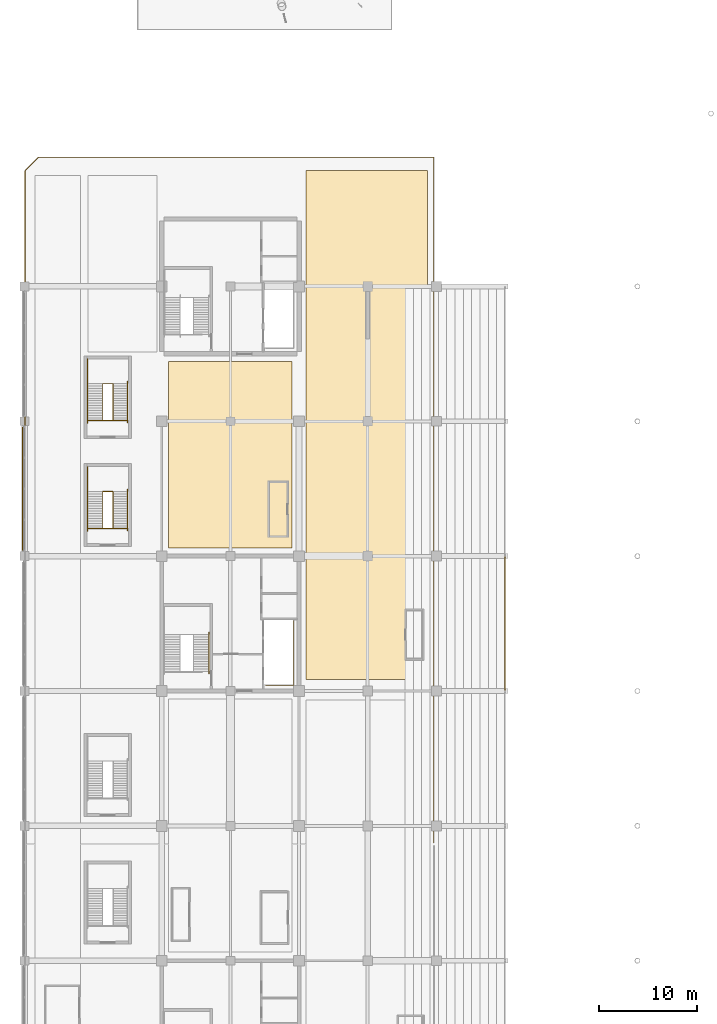
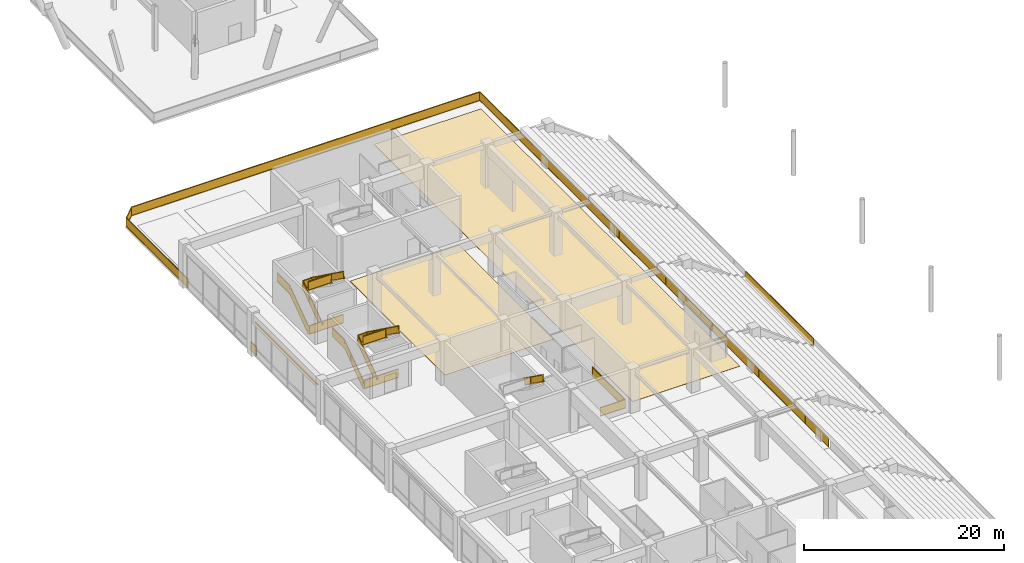
# One storey, part 108 of 117: 13 railings, 2 coverings, 1 shading device.
"""IFC4 building model written with IfcOpenShell, lengths in metres."""

from ifc_helpers import new_model, si_unit, direction, frame, origin, origin_2d, place, context, subcontext, project, spatial, polyline, rectangle, outline, extrude, material, layer, layer_set, type_object, element, save


model = new_model("IFC4")

# Units and contexts
model_context = context("Model", 3, precision=1e-05, world=origin(), true_north=direction((0.0, 1.0)))
body_context = subcontext(model_context, "Body", "Model", "MODEL_VIEW")
ifc_project = project(units=[si_unit("LENGTHUNIT", "METRE"), si_unit("AREAUNIT", "SQUARE_METRE"), si_unit("VOLUMEUNIT", "CUBIC_METRE"), si_unit("PLANEANGLEUNIT", "RADIAN"), si_unit("MASSUNIT", "GRAM", prefix="KILO")], contexts=[model_context])

# Site, building, storey
site_placement = place(None, origin())
site = spatial("IfcSite", under=ifc_project, at=site_placement, CompositionType="ELEMENT")
building_placement = place(site_placement, origin())
building = spatial("IfcBuilding", under=site, at=building_placement, Name="Linyun Crest Stadium", CompositionType="ELEMENT")
storey_placement = place(building_placement, frame((0.0, 0.0, 6.0)))
storey = spatial("IfcBuildingStorey", under=building, at=storey_placement, Name="L02", CompositionType="ELEMENT", Elevation=6.0)

# Coverings
ifc_material_1 = material(Name="Terrazzo concourse and hospitality floor finish")
ifc_layer_1 = layer(ifc_material_1, 0.02197265625)
ifc_layer_set_1 = layer_set([ifc_layer_1], Name="Terrazzo concourse and hospitality floor finish")
covering_type = type_object("IfcCoveringType", Name="FLR02", PredefinedType="FLOORING", material=ifc_layer_set_1)
covering_1_placement = place(storey_placement, origin())
element("IfcCovering", 1, at=covering_1_placement, inside=storey, type_object=covering_type, Name="Terrazzo flooring FLR02 18", PredefinedType="FLOORING", context=body_context, shape_type="SweptSolid", body=[
    extrude(outline(polyline([(-69.300048828125, 3.300048828125), (-56.89990234375, 3.300048828125), (-56.89990234375, 55.199951171875), (-69.300048828125, 55.199951171875), (-69.300048828125, 3.300048828125)])), origin(), (0.0, 0.0, 1.0), 0.02197265625),
])
covering_2_placement = place(storey_placement, origin())
element("IfcCovering", 2, at=covering_2_placement, inside=storey, type_object=covering_type, Name="Terrazzo flooring FLR02 20", PredefinedType="FLOORING", context=body_context, shape_type="SweptSolid", body=[
    extrude(outline(polyline([(-83.300048828125, 16.699951171875), (-70.699951171875, 16.699951171875), (-70.699951171875, 35.699951171875), (-83.300048828125, 35.699951171875), (-83.300048828125, 16.699951171875)])), origin(), (0.0, 0.0, 1.0), 0.02197265625),
])

# Railings
ifc_material_2 = material(Name="Galvanized and powder-coated steel bowl safety barrier", Category="steel")
railing_type_1 = type_object("IfcRailingType", Name="GR02", PredefinedType="GUARDRAIL", material=ifc_material_2)
railing_1_placement = place(storey_placement, frame((-49.0, 2.205078125, 0.199951171875)))
element("IfcRailing", 3, at=railing_1_placement, inside=storey, type_object=railing_type_1, Name="Bowl front safety guard GR02 34", PredefinedType="GUARDRAIL", context=body_context, shape_type="SweptSolid", body=[
    extrude(rectangle(XDim=0.06005859375, YDim=0.06005859375, at=origin_2d()), frame((0.0, 0.0, 1.090087890625), z_axis=(0.0, 1.0, 0.0), x_axis=(-1.0, 0.0, 0.0)), (0.0, 0.0, 1.0), 13.58984375),
    extrude(rectangle(XDim=0.030029296875, YDim=1.0, at=origin_2d()), frame((0.0, 0.0, 0.56005859375), z_axis=(0.0, 1.0, 0.0), x_axis=(-1.0, 0.0, 0.0)), (0.0, 0.0, 1.0), 13.58984375),
    extrude(rectangle(XDim=0.06005859375, YDim=0.06005859375, at=origin_2d()), frame((0.0, 0.0, 0.030029296875), z_axis=(0.0, 1.0, 0.0), x_axis=(-1.0, 0.0, 0.0)), (0.0, 0.0, 1.0), 13.58984375),
    extrude(rectangle(XDim=0.050048828125, YDim=0.050048828125, at=origin_2d()), origin(), (0.0, 0.0, 1.0), 1.1201171875),
    extrude(rectangle(XDim=0.050048828125, YDim=0.050048828125, at=origin_2d()), frame((0.0, 2.264892578125, 0.0)), (0.0, 0.0, 1.0), 1.1201171875),
    extrude(rectangle(XDim=0.050048828125, YDim=0.050048828125, at=origin_2d()), frame((0.0, 4.530029296875, 0.0)), (0.0, 0.0, 1.0), 1.1201171875),
    extrude(rectangle(XDim=0.050048828125, YDim=0.050048828125, at=origin_2d()), frame((0.0, 6.794921875, 0.0)), (0.0, 0.0, 1.0), 1.1201171875),
    extrude(rectangle(XDim=0.050048828125, YDim=0.050048828125, at=origin_2d()), frame((0.0, 9.059814453125, 0.0)), (0.0, 0.0, 1.0), 1.1201171875),
    extrude(rectangle(XDim=0.050048828125, YDim=0.050048828125, at=origin_2d()), frame((0.0, 11.324951171875, 0.0)), (0.0, 0.0, 1.0), 1.1201171875),
    extrude(rectangle(XDim=0.050048828125, YDim=0.050048828125, at=origin_2d()), frame((0.0, 13.58984375, 0.0)), (0.0, 0.0, 1.0), 1.1201171875),
])
railing_2_placement = place(storey_placement, frame((-97.93994140625, 29.074951171875, 0.0)))
element("IfcRailing", 4, at=railing_2_placement, inside=storey, type_object=railing_type_1, Name="Slab edge balustrade GR02 29", PredefinedType="GUARDRAIL", context=body_context, shape_type="SweptSolid", body=[
    extrude(rectangle(XDim=0.06005859375, YDim=0.06005859375, at=origin_2d()), frame((0.0, 0.0, 1.090087890625), z_axis=(0.0, 1.0, 0.0), x_axis=(-1.0, 0.0, 0.0)), (0.0, 0.0, 1.0), 1.10009765625),
    extrude(rectangle(XDim=0.030029296875, YDim=1.0, at=origin_2d()), frame((0.0, 0.0, 0.56005859375), z_axis=(0.0, 1.0, 0.0), x_axis=(-1.0, 0.0, 0.0)), (0.0, 0.0, 1.0), 1.10009765625),
    extrude(rectangle(XDim=0.06005859375, YDim=0.06005859375, at=origin_2d()), frame((0.0, 0.0, 0.030029296875), z_axis=(0.0, 1.0, 0.0), x_axis=(-1.0, 0.0, 0.0)), (0.0, 0.0, 1.0), 1.10009765625),
    extrude(rectangle(XDim=0.050048828125, YDim=0.050048828125, at=origin_2d()), origin(), (0.0, 0.0, 1.0), 1.1201171875),
    extrude(rectangle(XDim=0.050048828125, YDim=0.050048828125, at=origin_2d()), frame((0.0, 1.10009765625, 0.0)), (0.0, 0.0, 1.0), 1.1201171875),
])
railing_3_placement = place(storey_placement, frame((-97.93994140625, 42.824951171875, 0.0)))
element("IfcRailing", 5, at=railing_3_placement, inside=storey, type_object=railing_type_1, Name="Slab edge balustrade GR02 30", PredefinedType="GUARDRAIL", context=body_context, shape_type="SweptSolid", body=[
    extrude(rectangle(XDim=0.06005859375, YDim=0.06005859375, at=origin_2d()), frame((0.0, 0.0, 1.090087890625), z_axis=(0.0, 1.0, 0.0), x_axis=(-1.0, 0.0, 0.0)), (0.0, 0.0, 1.0), 12.3349609375),
    extrude(rectangle(XDim=0.030029296875, YDim=1.0, at=origin_2d()), frame((0.0, 0.0, 0.56005859375), z_axis=(0.0, 1.0, 0.0), x_axis=(-1.0, 0.0, 0.0)), (0.0, 0.0, 1.0), 12.3349609375),
    extrude(rectangle(XDim=0.06005859375, YDim=0.06005859375, at=origin_2d()), frame((0.0, 0.0, 0.030029296875), z_axis=(0.0, 1.0, 0.0), x_axis=(-1.0, 0.0, 0.0)), (0.0, 0.0, 1.0), 12.3349609375),
    extrude(rectangle(XDim=0.06005859375, YDim=0.06005859375, at=origin_2d()), frame((0.0, 12.3349609375, 1.090087890625), z_axis=(0.707106781187, 0.707106781187, 0.0), x_axis=(-0.707106781187, 0.707106781187, 0.0)), (0.0, 0.0, 1.0), 1.930419921875),
    extrude(rectangle(XDim=0.030029296875, YDim=1.0, at=origin_2d()), frame((0.0, 12.3349609375, 0.56005859375), z_axis=(0.707106781187, 0.707106781187, 0.0), x_axis=(-0.707106781187, 0.707106781187, 0.0)), (0.0, 0.0, 1.0), 1.930419921875),
    extrude(rectangle(XDim=0.06005859375, YDim=0.06005859375, at=origin_2d()), frame((0.0, 12.3349609375, 0.030029296875), z_axis=(0.707106781187, 0.707106781187, 0.0), x_axis=(-0.707106781187, 0.707106781187, 0.0)), (0.0, 0.0, 1.0), 1.930419921875),
    extrude(rectangle(XDim=0.06005859375, YDim=0.06005859375, at=origin_2d()), frame((1.364990234375, 13.699951171875, 1.090087890625), z_axis=(1.0, 0.0, 0.0), x_axis=(0.0, 1.0, 0.0)), (0.0, 0.0, 1.0), 40.31494140625),
    extrude(rectangle(XDim=0.030029296875, YDim=1.0, at=origin_2d()), frame((1.364990234375, 13.699951171875, 0.56005859375), z_axis=(1.0, 0.0, 0.0), x_axis=(0.0, 1.0, 0.0)), (0.0, 0.0, 1.0), 40.31494140625),
    extrude(rectangle(XDim=0.06005859375, YDim=0.06005859375, at=origin_2d()), frame((1.364990234375, 13.699951171875, 0.030029296875), z_axis=(1.0, 0.0, 0.0), x_axis=(0.0, 1.0, 0.0)), (0.0, 0.0, 1.0), 40.31494140625),
    extrude(rectangle(XDim=0.06005859375, YDim=0.06005859375, at=origin_2d()), frame((41.679931640625, 13.699951171875, 1.090087890625), z_axis=(0.0, -1.0, 0.0), x_axis=(1.0, 0.0, 0.0)), (0.0, 0.0, 1.0), 69.85498046875),
    extrude(rectangle(XDim=0.030029296875, YDim=1.0, at=origin_2d()), frame((41.679931640625, 13.699951171875, 0.56005859375), z_axis=(0.0, -1.0, 0.0), x_axis=(1.0, 0.0, 0.0)), (0.0, 0.0, 1.0), 69.85498046875),
    extrude(rectangle(XDim=0.06005859375, YDim=0.06005859375, at=origin_2d()), frame((41.679931640625, 13.699951171875, 0.030029296875), z_axis=(0.0, -1.0, 0.0), x_axis=(1.0, 0.0, 0.0)), (0.0, 0.0, 1.0), 69.85498046875),
    extrude(rectangle(XDim=0.050048828125, YDim=0.050048828125, at=origin_2d()), origin(), (0.0, 0.0, 1.0), 1.1201171875),
    extrude(rectangle(XDim=0.050048828125, YDim=0.050048828125, at=origin_2d()), frame((0.0, 4.111572265625, 0.0)), (0.0, 0.0, 1.0), 1.1201171875),
    extrude(rectangle(XDim=0.050048828125, YDim=0.050048828125, at=origin_2d()), frame((0.0, 8.223388671875, 0.0)), (0.0, 0.0, 1.0), 1.1201171875),
    extrude(rectangle(XDim=0.050048828125, YDim=0.050048828125, at=origin_2d()), frame((0.0, 12.3349609375, 0.0)), (0.0, 0.0, 1.0), 1.1201171875),
    extrude(rectangle(XDim=0.050048828125, YDim=0.050048828125, at=origin_2d()), frame((1.364990234375, 13.699951171875, 0.0)), (0.0, 0.0, 1.0), 1.1201171875),
    extrude(rectangle(XDim=0.050048828125, YDim=0.050048828125, at=origin_2d()), frame((5.844482421875, 13.699951171875, 0.0)), (0.0, 0.0, 1.0), 1.1201171875),
    extrude(rectangle(XDim=0.050048828125, YDim=0.050048828125, at=origin_2d()), frame((10.323974609375, 13.699951171875, 0.0)), (0.0, 0.0, 1.0), 1.1201171875),
    extrude(rectangle(XDim=0.050048828125, YDim=0.050048828125, at=origin_2d()), frame((14.80322265625, 13.699951171875, 0.0)), (0.0, 0.0, 1.0), 1.1201171875),
    extrude(rectangle(XDim=0.050048828125, YDim=0.050048828125, at=origin_2d()), frame((19.28271484375, 13.699951171875, 0.0)), (0.0, 0.0, 1.0), 1.1201171875),
    extrude(rectangle(XDim=0.050048828125, YDim=0.050048828125, at=origin_2d()), frame((23.76220703125, 13.699951171875, 0.0)), (0.0, 0.0, 1.0), 1.1201171875),
    extrude(rectangle(XDim=0.050048828125, YDim=0.050048828125, at=origin_2d()), frame((28.24169921875, 13.699951171875, 0.0)), (0.0, 0.0, 1.0), 1.1201171875),
    extrude(rectangle(XDim=0.050048828125, YDim=0.050048828125, at=origin_2d()), frame((32.720947265625, 13.699951171875, 0.0)), (0.0, 0.0, 1.0), 1.1201171875),
    extrude(rectangle(XDim=0.050048828125, YDim=0.050048828125, at=origin_2d()), frame((37.200439453125, 13.699951171875, 0.0)), (0.0, 0.0, 1.0), 1.1201171875),
    extrude(rectangle(XDim=0.050048828125, YDim=0.050048828125, at=origin_2d()), frame((41.679931640625, 13.699951171875, 0.0)), (0.0, 0.0, 1.0), 1.1201171875),
    extrude(rectangle(XDim=0.050048828125, YDim=0.050048828125, at=origin_2d()), frame((41.679931640625, 9.04296875, 0.0)), (0.0, 0.0, 1.0), 1.1201171875),
    extrude(rectangle(XDim=0.050048828125, YDim=0.050048828125, at=origin_2d()), frame((41.679931640625, 4.385986328125, 0.0)), (0.0, 0.0, 1.0), 1.1201171875),
    extrude(rectangle(XDim=0.050048828125, YDim=0.050048828125, at=origin_2d()), frame((41.679931640625, -0.27099609375, 0.0)), (0.0, 0.0, 1.0), 1.1201171875),
    extrude(rectangle(XDim=0.050048828125, YDim=0.050048828125, at=origin_2d()), frame((41.679931640625, -4.927978515625, 0.0)), (0.0, 0.0, 1.0), 1.1201171875),
    extrude(rectangle(XDim=0.050048828125, YDim=0.050048828125, at=origin_2d()), frame((41.679931640625, -9.5849609375, 0.0)), (0.0, 0.0, 1.0), 1.1201171875),
    extrude(rectangle(XDim=0.050048828125, YDim=0.050048828125, at=origin_2d()), frame((41.679931640625, -14.241943359375, 0.0)), (0.0, 0.0, 1.0), 1.1201171875),
    extrude(rectangle(XDim=0.050048828125, YDim=0.050048828125, at=origin_2d()), frame((41.679931640625, -18.89892578125, 0.0)), (0.0, 0.0, 1.0), 1.1201171875),
    extrude(rectangle(XDim=0.050048828125, YDim=0.050048828125, at=origin_2d()), frame((41.679931640625, -23.55615234375, 0.0)), (0.0, 0.0, 1.0), 1.1201171875),
    extrude(rectangle(XDim=0.050048828125, YDim=0.050048828125, at=origin_2d()), frame((41.679931640625, -28.213134765625, 0.0)), (0.0, 0.0, 1.0), 1.1201171875),
    extrude(rectangle(XDim=0.050048828125, YDim=0.050048828125, at=origin_2d()), frame((41.679931640625, -32.8701171875, 0.0)), (0.0, 0.0, 1.0), 1.1201171875),
    extrude(rectangle(XDim=0.050048828125, YDim=0.050048828125, at=origin_2d()), frame((41.679931640625, -37.527099609375, 0.0)), (0.0, 0.0, 1.0), 1.1201171875),
    extrude(rectangle(XDim=0.050048828125, YDim=0.050048828125, at=origin_2d()), frame((41.679931640625, -42.18408203125, 0.0)), (0.0, 0.0, 1.0), 1.1201171875),
    extrude(rectangle(XDim=0.050048828125, YDim=0.050048828125, at=origin_2d()), frame((41.679931640625, -46.841064453125, 0.0)), (0.0, 0.0, 1.0), 1.1201171875),
    extrude(rectangle(XDim=0.050048828125, YDim=0.050048828125, at=origin_2d()), frame((41.679931640625, -51.498046875, 0.0)), (0.0, 0.0, 1.0), 1.1201171875),
    extrude(rectangle(XDim=0.050048828125, YDim=0.050048828125, at=origin_2d()), frame((41.679931640625, -56.155029296875, 0.0)), (0.0, 0.0, 1.0), 1.1201171875),
])
railing_4_placement = place(storey_placement, frame((-73.419921875, 2.715087890625, 0.0)))
element("IfcRailing", 6, at=railing_4_placement, inside=storey, type_object=railing_type_1, Name="Slab edge balustrade GR02 31", PredefinedType="GUARDRAIL", context=body_context, shape_type="SweptSolid", body=[
    extrude(rectangle(XDim=0.06005859375, YDim=0.06005859375, at=origin_2d()), frame((0.0, 0.0, 1.090087890625), z_axis=(1.0, 0.0, 0.0), x_axis=(0.0, 1.0, 0.0)), (0.0, 0.0, 1.0), 2.8798828125),
    extrude(rectangle(XDim=0.030029296875, YDim=1.0, at=origin_2d()), frame((0.0, 0.0, 0.56005859375), z_axis=(1.0, 0.0, 0.0), x_axis=(0.0, 1.0, 0.0)), (0.0, 0.0, 1.0), 2.8798828125),
    extrude(rectangle(XDim=0.06005859375, YDim=0.06005859375, at=origin_2d()), frame((0.0, 0.0, 0.030029296875), z_axis=(1.0, 0.0, 0.0), x_axis=(0.0, 1.0, 0.0)), (0.0, 0.0, 1.0), 2.8798828125),
    extrude(rectangle(XDim=0.06005859375, YDim=0.06005859375, at=origin_2d()), frame((2.8798828125, 0.0, 1.090087890625), z_axis=(0.0, 1.0, 0.0), x_axis=(-1.0, 0.0, 0.0)), (0.0, 0.0, 1.0), 6.5498046875),
    extrude(rectangle(XDim=0.030029296875, YDim=1.0, at=origin_2d()), frame((2.8798828125, 0.0, 0.56005859375), z_axis=(0.0, 1.0, 0.0), x_axis=(-1.0, 0.0, 0.0)), (0.0, 0.0, 1.0), 6.5498046875),
    extrude(rectangle(XDim=0.06005859375, YDim=0.06005859375, at=origin_2d()), frame((2.8798828125, 0.0, 0.030029296875), z_axis=(0.0, 1.0, 0.0), x_axis=(-1.0, 0.0, 0.0)), (0.0, 0.0, 1.0), 6.5498046875),
    extrude(rectangle(XDim=0.050048828125, YDim=0.050048828125, at=origin_2d()), origin(), (0.0, 0.0, 1.0), 1.1201171875),
    extrude(rectangle(XDim=0.050048828125, YDim=0.050048828125, at=origin_2d()), frame((2.8798828125, 0.0, 0.0)), (0.0, 0.0, 1.0), 1.1201171875),
    extrude(rectangle(XDim=0.050048828125, YDim=0.050048828125, at=origin_2d()), frame((2.8798828125, 3.27490234375, 0.0)), (0.0, 0.0, 1.0), 1.1201171875),
    extrude(rectangle(XDim=0.050048828125, YDim=0.050048828125, at=origin_2d()), frame((2.8798828125, 6.5498046875, 0.0)), (0.0, 0.0, 1.0), 1.1201171875),
])
for number, where, name in (
    (7, (-91.4599609375, 18.68994140625, 0.0), "Slab edge balustrade GR02 36"),
    (8, (-91.4599609375, 29.68994140625, 0.0), "Slab edge balustrade GR02 37"),
):
    element("IfcRailing", number, at=place(storey_placement, frame(where)), inside=storey, type_object=railing_type_1, Name=name, PredefinedType="GUARDRAIL", context=body_context, shape_type="SweptSolid", body=[
        extrude(rectangle(XDim=0.06005859375, YDim=0.06005859375, at=origin_2d()), frame((0.0, 0.0, 1.090087890625), z_axis=(1.0, 0.0, 0.0), x_axis=(0.0, 1.0, 0.0)), (0.0, 0.0, 1.0), 3.919921875),
        extrude(rectangle(XDim=0.030029296875, YDim=1.0, at=origin_2d()), frame((0.0, 0.0, 0.56005859375), z_axis=(1.0, 0.0, 0.0), x_axis=(0.0, 1.0, 0.0)), (0.0, 0.0, 1.0), 3.919921875),
        extrude(rectangle(XDim=0.06005859375, YDim=0.06005859375, at=origin_2d()), frame((0.0, 0.0, 0.030029296875), z_axis=(1.0, 0.0, 0.0), x_axis=(0.0, 1.0, 0.0)), (0.0, 0.0, 1.0), 3.919921875),
        extrude(rectangle(XDim=0.050048828125, YDim=0.050048828125, at=origin_2d()), origin(), (0.0, 0.0, 1.0), 1.1201171875),
        extrude(rectangle(XDim=0.050048828125, YDim=0.050048828125, at=origin_2d()), frame((3.919921875, 0.0, 0.0)), (0.0, 0.0, 1.0), 1.1201171875),
    ])
ifc_material_3 = material(Name="Painted steel stairwell safety guard", Category="steel")
railing_type_2 = type_object("IfcRailingType", Name="GR03", PredefinedType="GUARDRAIL", material=ifc_material_3)
railing_5_placement = place(storey_placement, frame((-91.570068359375, 18.719970703125, 0.0)))
element("IfcRailing", 9, at=railing_5_placement, inside=storey, type_object=railing_type_2, Name="STR-16-L02 outer guard", PredefinedType="GUARDRAIL", context=body_context, shape_type="SweptSolid", body=[
    extrude(rectangle(XDim=0.06005859375, YDim=0.06005859375, at=origin_2d()), frame((0.0, 0.0, 1.090087890625), z_axis=(0.0, 0.811539352079, 0.584297766578), x_axis=(-1.0, 0.0, 0.0)), (0.0, 0.0, 1.0), 4.620849609375),
    extrude(rectangle(XDim=0.030029296875, YDim=1.0, at=origin_2d()), frame((0.0, 0.0, 0.56005859375), z_axis=(0.0, 0.811539352079, 0.584297766578), x_axis=(-1.0, 0.0, 0.0)), (0.0, 0.0, 1.0), 4.620849609375),
    extrude(rectangle(XDim=0.06005859375, YDim=0.06005859375, at=origin_2d()), frame((0.0, 0.0, 0.030029296875), z_axis=(0.0, 0.811539352079, 0.584297766578), x_axis=(-1.0, 0.0, 0.0)), (0.0, 0.0, 1.0), 4.620849609375),
    extrude(rectangle(XDim=0.06005859375, YDim=0.06005859375, at=origin_2d()), frame((0.0, 3.75, 3.7900390625), z_axis=(0.0, 1.0, 0.0), x_axis=(-1.0, 0.0, 0.0)), (0.0, 0.0, 1.0), 2.5),
    extrude(rectangle(XDim=0.030029296875, YDim=1.0, at=origin_2d()), frame((0.0, 3.75, 3.260009765625), z_axis=(0.0, 1.0, 0.0), x_axis=(-1.0, 0.0, 0.0)), (0.0, 0.0, 1.0), 2.5),
    extrude(rectangle(XDim=0.06005859375, YDim=0.06005859375, at=origin_2d()), frame((0.0, 3.75, 2.72998046875), z_axis=(0.0, 1.0, 0.0), x_axis=(-1.0, 0.0, 0.0)), (0.0, 0.0, 1.0), 2.5),
    extrude(rectangle(XDim=0.050048828125, YDim=0.050048828125, at=origin_2d()), origin(), (0.0, 0.0, 1.0), 1.1201171875),
    extrude(rectangle(XDim=0.050048828125, YDim=0.050048828125, at=origin_2d()), frame((0.0, 1.25, 0.89990234375)), (0.0, 0.0, 1.0), 1.1201171875),
    extrude(rectangle(XDim=0.050048828125, YDim=0.050048828125, at=origin_2d()), frame((0.0, 2.5, 1.800048828125)), (0.0, 0.0, 1.0), 1.1201171875),
    extrude(rectangle(XDim=0.050048828125, YDim=0.050048828125, at=origin_2d()), frame((0.0, 3.75, 2.699951171875)), (0.0, 0.0, 1.0), 1.1201171875),
    extrude(rectangle(XDim=0.050048828125, YDim=0.050048828125, at=origin_2d()), frame((0.0, 5.0, 2.699951171875)), (0.0, 0.0, 1.0), 1.1201171875),
    extrude(rectangle(XDim=0.050048828125, YDim=0.050048828125, at=origin_2d()), frame((0.0, 6.25, 2.699951171875)), (0.0, 0.0, 1.0), 1.1201171875),
])
railing_6_placement = place(storey_placement, frame((-90.030029296875, 18.699951171875, 0.0)))
element("IfcRailing", 10, at=railing_6_placement, inside=storey, type_object=railing_type_2, Name="STR-16-L02 inner well guard", PredefinedType="GUARDRAIL", context=body_context, shape_type="SweptSolid", body=[
    extrude(rectangle(XDim=0.06005859375, YDim=0.06005859375, at=origin_2d()), frame((0.0, 0.0, 1.090087890625), z_axis=(0.0, 0.813010693788, 0.582248754216), x_axis=(-1.0, 0.0, 0.0)), (0.0, 0.0, 1.0), 4.63720703125),
    extrude(rectangle(XDim=0.030029296875, YDim=1.0, at=origin_2d()), frame((0.0, 0.0, 0.56005859375), z_axis=(0.0, 0.813010693788, 0.582248754216), x_axis=(-1.0, 0.0, 0.0)), (0.0, 0.0, 1.0), 4.63720703125),
    extrude(rectangle(XDim=0.06005859375, YDim=0.06005859375, at=origin_2d()), frame((0.0, 0.0, 0.030029296875), z_axis=(0.0, 0.813010693788, 0.582248754216), x_axis=(-1.0, 0.0, 0.0)), (0.0, 0.0, 1.0), 4.63720703125),
    extrude(rectangle(XDim=0.06005859375, YDim=0.06005859375, at=origin_2d()), frame((0.0, 3.77001953125, 3.7900390625), z_axis=(1.0, 0.0, 0.0), x_axis=(0.0, 1.0, 0.0)), (0.0, 0.0, 1.0), 1.06005859375),
    extrude(rectangle(XDim=0.030029296875, YDim=1.0, at=origin_2d()), frame((0.0, 3.77001953125, 3.260009765625), z_axis=(1.0, 0.0, 0.0), x_axis=(0.0, 1.0, 0.0)), (0.0, 0.0, 1.0), 1.06005859375),
    extrude(rectangle(XDim=0.06005859375, YDim=0.06005859375, at=origin_2d()), frame((0.0, 3.77001953125, 2.72998046875), z_axis=(1.0, 0.0, 0.0), x_axis=(0.0, 1.0, 0.0)), (0.0, 0.0, 1.0), 1.06005859375),
    extrude(rectangle(XDim=0.06005859375, YDim=0.06005859375, at=origin_2d()), frame((1.06005859375, 3.77001953125, 3.7900390625), z_axis=(0.0, -0.813010693788, 0.582248754216), x_axis=(1.0, 0.0, 0.0)), (0.0, 0.0, 1.0), 4.63720703125),
    extrude(rectangle(XDim=0.030029296875, YDim=1.0, at=origin_2d()), frame((1.06005859375, 3.77001953125, 3.260009765625), z_axis=(0.0, -0.813010693788, 0.582248754216), x_axis=(1.0, 0.0, 0.0)), (0.0, 0.0, 1.0), 4.63720703125),
    extrude(rectangle(XDim=0.06005859375, YDim=0.06005859375, at=origin_2d()), frame((1.06005859375, 3.77001953125, 2.72998046875), z_axis=(0.0, -0.813010693788, 0.582248754216), x_axis=(1.0, 0.0, 0.0)), (0.0, 0.0, 1.0), 4.63720703125),
    extrude(rectangle(XDim=0.06005859375, YDim=0.06005859375, at=origin_2d()), frame((1.06005859375, 0.0, 6.489990234375), z_axis=(-1.0, 0.0, 0.0), x_axis=(0.0, -1.0, 0.0)), (0.0, 0.0, 1.0), 2.610107421875),
    extrude(rectangle(XDim=0.030029296875, YDim=1.0, at=origin_2d()), frame((1.06005859375, 0.0, 5.9599609375), z_axis=(-1.0, 0.0, 0.0), x_axis=(0.0, -1.0, 0.0)), (0.0, 0.0, 1.0), 2.610107421875),
    extrude(rectangle(XDim=0.06005859375, YDim=0.06005859375, at=origin_2d()), frame((1.06005859375, 0.0, 5.429931640625), z_axis=(-1.0, 0.0, 0.0), x_axis=(0.0, -1.0, 0.0)), (0.0, 0.0, 1.0), 2.610107421875),
    extrude(rectangle(XDim=0.050048828125, YDim=0.050048828125, at=origin_2d()), origin(), (0.0, 0.0, 1.0), 1.1201171875),
    extrude(rectangle(XDim=0.050048828125, YDim=0.050048828125, at=origin_2d()), frame((0.0, 1.256591796875, 0.89990234375)), (0.0, 0.0, 1.0), 1.1201171875),
    extrude(rectangle(XDim=0.050048828125, YDim=0.050048828125, at=origin_2d()), frame((0.0, 2.513427734375, 1.800048828125)), (0.0, 0.0, 1.0), 1.1201171875),
    extrude(rectangle(XDim=0.050048828125, YDim=0.050048828125, at=origin_2d()), frame((0.0, 3.77001953125, 2.699951171875)), (0.0, 0.0, 1.0), 1.1201171875),
    extrude(rectangle(XDim=0.050048828125, YDim=0.050048828125, at=origin_2d()), frame((1.06005859375, 3.77001953125, 2.699951171875)), (0.0, 0.0, 1.0), 1.1201171875),
    extrude(rectangle(XDim=0.050048828125, YDim=0.050048828125, at=origin_2d()), frame((1.06005859375, 2.513427734375, 3.599853515625)), (0.0, 0.0, 1.0), 1.1201171875),
    extrude(rectangle(XDim=0.050048828125, YDim=0.050048828125, at=origin_2d()), frame((1.06005859375, 1.256591796875, 4.5)), (0.0, 0.0, 1.0), 1.1201171875),
    extrude(rectangle(XDim=0.050048828125, YDim=0.050048828125, at=origin_2d()), frame((1.06005859375, 0.0, 5.39990234375)), (0.0, 0.0, 1.0), 1.1201171875),
    extrude(rectangle(XDim=0.050048828125, YDim=0.050048828125, at=origin_2d()), frame((-0.2451171875, 0.0, 5.39990234375)), (0.0, 0.0, 1.0), 1.1201171875),
    extrude(rectangle(XDim=0.050048828125, YDim=0.050048828125, at=origin_2d()), frame((-1.550048828125, 0.0, 5.39990234375)), (0.0, 0.0, 1.0), 1.1201171875),
])
railing_7_placement = place(storey_placement, frame((-91.570068359375, 29.719970703125, 0.0)))
element("IfcRailing", 11, at=railing_7_placement, inside=storey, type_object=railing_type_2, Name="STR-17-L02 outer guard", PredefinedType="GUARDRAIL", context=body_context, shape_type="SweptSolid", body=[
    extrude(rectangle(XDim=0.06005859375, YDim=0.06005859375, at=origin_2d()), frame((0.0, 0.0, 1.090087890625), z_axis=(0.0, 0.811539352079, 0.584297766578), x_axis=(-1.0, 0.0, 0.0)), (0.0, 0.0, 1.0), 4.620849609375),
    extrude(rectangle(XDim=0.030029296875, YDim=1.0, at=origin_2d()), frame((0.0, 0.0, 0.56005859375), z_axis=(0.0, 0.811539352079, 0.584297766578), x_axis=(-1.0, 0.0, 0.0)), (0.0, 0.0, 1.0), 4.620849609375),
    extrude(rectangle(XDim=0.06005859375, YDim=0.06005859375, at=origin_2d()), frame((0.0, 0.0, 0.030029296875), z_axis=(0.0, 0.811539352079, 0.584297766578), x_axis=(-1.0, 0.0, 0.0)), (0.0, 0.0, 1.0), 4.620849609375),
    extrude(rectangle(XDim=0.06005859375, YDim=0.06005859375, at=origin_2d()), frame((0.0, 3.75, 3.7900390625), z_axis=(0.0, 1.0, 0.0), x_axis=(-1.0, 0.0, 0.0)), (0.0, 0.0, 1.0), 2.5),
    extrude(rectangle(XDim=0.030029296875, YDim=1.0, at=origin_2d()), frame((0.0, 3.75, 3.260009765625), z_axis=(0.0, 1.0, 0.0), x_axis=(-1.0, 0.0, 0.0)), (0.0, 0.0, 1.0), 2.5),
    extrude(rectangle(XDim=0.06005859375, YDim=0.06005859375, at=origin_2d()), frame((0.0, 3.75, 2.72998046875), z_axis=(0.0, 1.0, 0.0), x_axis=(-1.0, 0.0, 0.0)), (0.0, 0.0, 1.0), 2.5),
    extrude(rectangle(XDim=0.050048828125, YDim=0.050048828125, at=origin_2d()), origin(), (0.0, 0.0, 1.0), 1.1201171875),
    extrude(rectangle(XDim=0.050048828125, YDim=0.050048828125, at=origin_2d()), frame((0.0, 1.25, 0.89990234375)), (0.0, 0.0, 1.0), 1.1201171875),
    extrude(rectangle(XDim=0.050048828125, YDim=0.050048828125, at=origin_2d()), frame((0.0, 2.5, 1.800048828125)), (0.0, 0.0, 1.0), 1.1201171875),
    extrude(rectangle(XDim=0.050048828125, YDim=0.050048828125, at=origin_2d()), frame((0.0, 3.75, 2.699951171875)), (0.0, 0.0, 1.0), 1.1201171875),
    extrude(rectangle(XDim=0.050048828125, YDim=0.050048828125, at=origin_2d()), frame((0.0, 5.0, 2.699951171875)), (0.0, 0.0, 1.0), 1.1201171875),
    extrude(rectangle(XDim=0.050048828125, YDim=0.050048828125, at=origin_2d()), frame((0.0, 6.25, 2.699951171875)), (0.0, 0.0, 1.0), 1.1201171875),
])
railing_8_placement = place(storey_placement, frame((-90.030029296875, 29.699951171875, 0.0)))
element("IfcRailing", 12, at=railing_8_placement, inside=storey, type_object=railing_type_2, Name="STR-17-L02 inner well guard", PredefinedType="GUARDRAIL", context=body_context, shape_type="SweptSolid", body=[
    extrude(rectangle(XDim=0.06005859375, YDim=0.06005859375, at=origin_2d()), frame((0.0, 0.0, 1.090087890625), z_axis=(0.0, 0.813010693788, 0.582248754216), x_axis=(-1.0, 0.0, 0.0)), (0.0, 0.0, 1.0), 4.63720703125),
    extrude(rectangle(XDim=0.030029296875, YDim=1.0, at=origin_2d()), frame((0.0, 0.0, 0.56005859375), z_axis=(0.0, 0.813010693788, 0.582248754216), x_axis=(-1.0, 0.0, 0.0)), (0.0, 0.0, 1.0), 4.63720703125),
    extrude(rectangle(XDim=0.06005859375, YDim=0.06005859375, at=origin_2d()), frame((0.0, 0.0, 0.030029296875), z_axis=(0.0, 0.813010693788, 0.582248754216), x_axis=(-1.0, 0.0, 0.0)), (0.0, 0.0, 1.0), 4.63720703125),
    extrude(rectangle(XDim=0.06005859375, YDim=0.06005859375, at=origin_2d()), frame((0.0, 3.77001953125, 3.7900390625), z_axis=(1.0, 0.0, 0.0), x_axis=(0.0, 1.0, 0.0)), (0.0, 0.0, 1.0), 1.06005859375),
    extrude(rectangle(XDim=0.030029296875, YDim=1.0, at=origin_2d()), frame((0.0, 3.77001953125, 3.260009765625), z_axis=(1.0, 0.0, 0.0), x_axis=(0.0, 1.0, 0.0)), (0.0, 0.0, 1.0), 1.06005859375),
    extrude(rectangle(XDim=0.06005859375, YDim=0.06005859375, at=origin_2d()), frame((0.0, 3.77001953125, 2.72998046875), z_axis=(1.0, 0.0, 0.0), x_axis=(0.0, 1.0, 0.0)), (0.0, 0.0, 1.0), 1.06005859375),
    extrude(rectangle(XDim=0.06005859375, YDim=0.06005859375, at=origin_2d()), frame((1.06005859375, 3.77001953125, 3.7900390625), z_axis=(0.0, -0.813010693788, 0.582248754216), x_axis=(1.0, 0.0, 0.0)), (0.0, 0.0, 1.0), 4.63720703125),
    extrude(rectangle(XDim=0.030029296875, YDim=1.0, at=origin_2d()), frame((1.06005859375, 3.77001953125, 3.260009765625), z_axis=(0.0, -0.813010693788, 0.582248754216), x_axis=(1.0, 0.0, 0.0)), (0.0, 0.0, 1.0), 4.63720703125),
    extrude(rectangle(XDim=0.06005859375, YDim=0.06005859375, at=origin_2d()), frame((1.06005859375, 3.77001953125, 2.72998046875), z_axis=(0.0, -0.813010693788, 0.582248754216), x_axis=(1.0, 0.0, 0.0)), (0.0, 0.0, 1.0), 4.63720703125),
    extrude(rectangle(XDim=0.06005859375, YDim=0.06005859375, at=origin_2d()), frame((1.06005859375, 0.0, 6.489990234375), z_axis=(-1.0, 0.0, 0.0), x_axis=(0.0, -1.0, 0.0)), (0.0, 0.0, 1.0), 2.610107421875),
    extrude(rectangle(XDim=0.030029296875, YDim=1.0, at=origin_2d()), frame((1.06005859375, 0.0, 5.9599609375), z_axis=(-1.0, 0.0, 0.0), x_axis=(0.0, -1.0, 0.0)), (0.0, 0.0, 1.0), 2.610107421875),
    extrude(rectangle(XDim=0.06005859375, YDim=0.06005859375, at=origin_2d()), frame((1.06005859375, 0.0, 5.429931640625), z_axis=(-1.0, 0.0, 0.0), x_axis=(0.0, -1.0, 0.0)), (0.0, 0.0, 1.0), 2.610107421875),
    extrude(rectangle(XDim=0.050048828125, YDim=0.050048828125, at=origin_2d()), origin(), (0.0, 0.0, 1.0), 1.1201171875),
    extrude(rectangle(XDim=0.050048828125, YDim=0.050048828125, at=origin_2d()), frame((0.0, 1.256591796875, 0.89990234375)), (0.0, 0.0, 1.0), 1.1201171875),
    extrude(rectangle(XDim=0.050048828125, YDim=0.050048828125, at=origin_2d()), frame((0.0, 2.513427734375, 1.800048828125)), (0.0, 0.0, 1.0), 1.1201171875),
    extrude(rectangle(XDim=0.050048828125, YDim=0.050048828125, at=origin_2d()), frame((0.0, 3.77001953125, 2.699951171875)), (0.0, 0.0, 1.0), 1.1201171875),
    extrude(rectangle(XDim=0.050048828125, YDim=0.050048828125, at=origin_2d()), frame((1.06005859375, 3.77001953125, 2.699951171875)), (0.0, 0.0, 1.0), 1.1201171875),
    extrude(rectangle(XDim=0.050048828125, YDim=0.050048828125, at=origin_2d()), frame((1.06005859375, 2.513427734375, 3.599853515625)), (0.0, 0.0, 1.0), 1.1201171875),
    extrude(rectangle(XDim=0.050048828125, YDim=0.050048828125, at=origin_2d()), frame((1.06005859375, 1.256591796875, 4.5)), (0.0, 0.0, 1.0), 1.1201171875),
    extrude(rectangle(XDim=0.050048828125, YDim=0.050048828125, at=origin_2d()), frame((1.06005859375, 0.0, 5.39990234375)), (0.0, 0.0, 1.0), 1.1201171875),
    extrude(rectangle(XDim=0.050048828125, YDim=0.050048828125, at=origin_2d()), frame((-0.2451171875, 0.0, 5.39990234375)), (0.0, 0.0, 1.0), 1.1201171875),
    extrude(rectangle(XDim=0.050048828125, YDim=0.050048828125, at=origin_2d()), frame((-1.550048828125, 0.0, 5.39990234375)), (0.0, 0.0, 1.0), 1.1201171875),
])
ifc_material_4 = material(Name="Brushed stainless steel tubular handrail", Category="steel")
railing_type_3 = type_object("IfcRailingType", Name="HR01", PredefinedType="HANDRAIL", material=ifc_material_4)
for number, where, name in (
    (13, (-79.179931640625, 7.864990234375, 2.699951171875), "STR-02-L02 handrail"),
    (14, (-87.47998046875, 22.469970703125, 2.699951171875), "STR-16-L02 handrail"),
    (15, (-87.47998046875, 33.469970703125, 2.699951171875), "STR-17-L02 handrail"),
):
    element("IfcRailing", number, at=place(storey_placement, frame(where)), inside=storey, type_object=railing_type_3, Name=name, PredefinedType="HANDRAIL", context=body_context, shape_type="SweptSolid", body=[
        extrude(rectangle(XDim=0.06005859375, YDim=0.06005859375, at=origin_2d()), frame((0.0, 0.0, 0.889892578125), z_axis=(0.0, -0.811539352079, 0.584297766578), x_axis=(1.0, 0.0, 0.0)), (0.0, 0.0, 1.0), 4.620849609375),
        extrude(rectangle(XDim=0.030029296875, YDim=0.7998046875, at=origin_2d()), frame((0.0, 0.0, 0.4599609375), z_axis=(0.0, -0.811539352079, 0.584297766578), x_axis=(1.0, 0.0, 0.0)), (0.0, 0.0, 1.0), 4.620849609375),
        extrude(rectangle(XDim=0.06005859375, YDim=0.06005859375, at=origin_2d()), frame((0.0, 0.0, 0.030029296875), z_axis=(0.0, -0.811539352079, 0.584297766578), x_axis=(1.0, 0.0, 0.0)), (0.0, 0.0, 1.0), 4.620849609375),
        extrude(rectangle(XDim=0.050048828125, YDim=0.050048828125, at=origin_2d()), origin(), (0.0, 0.0, 1.0), 0.919921875),
        extrude(rectangle(XDim=0.050048828125, YDim=0.050048828125, at=origin_2d()), frame((0.0, -1.25, 0.89990234375)), (0.0, 0.0, 1.0), 0.919921875),
        extrude(rectangle(XDim=0.050048828125, YDim=0.050048828125, at=origin_2d()), frame((0.0, -2.5, 1.800048828125)), (0.0, 0.0, 1.0), 0.919921875),
        extrude(rectangle(XDim=0.050048828125, YDim=0.050048828125, at=origin_2d()), frame((0.0, -3.75, 2.699951171875)), (0.0, 0.0, 1.0), 0.919921875),
    ])

# Shading device
ifc_material_5 = material(Name="Verdigris painted aluminium sun-louvre screen", Category="aluminium")
ifc_layer_2 = layer(ifc_material_5, 0.080078125)
ifc_layer_set_2 = layer_set([ifc_layer_2], Name="Verdigris painted aluminium sun-louvre screen")
shading_device_type = type_object("IfcShadingDeviceType", Name="SD01", PredefinedType="JALOUSIE", material=ifc_layer_set_2)
shading_device_placement = place(storey_placement, frame((-98.1201171875, 22.75, 4.159912109375), z_axis=(0.0, 0.0, 1.0), x_axis=(1.0, 0.0, 0.0)))
element("IfcShadingDevice", 16, at=shading_device_placement, inside=storey, type_object=shading_device_type, Name="Veranda monsoon louvre SD01 253", PredefinedType="JALOUSIE", context=body_context, shape_type="SweptSolid", body=[
    extrude(rectangle(XDim=0.159912109375, YDim=12.550048828125, at=origin_2d()), origin(), (0.0, 0.0, 1.0), 0.1201171875),
])

save(model, "model.ifc")
